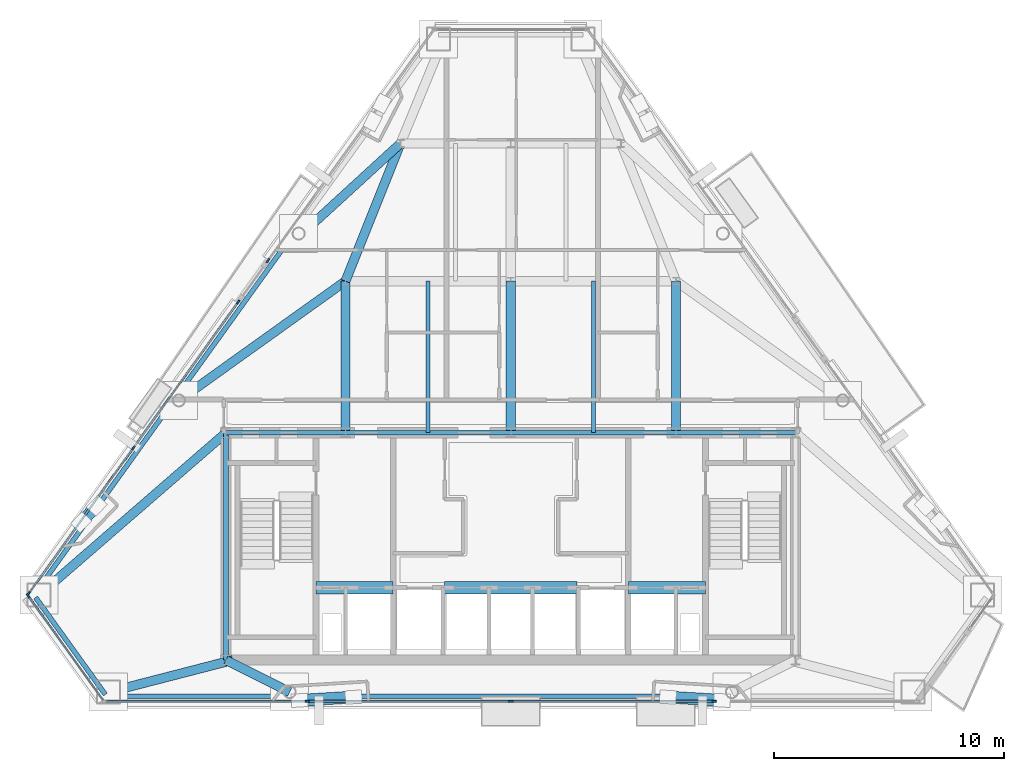
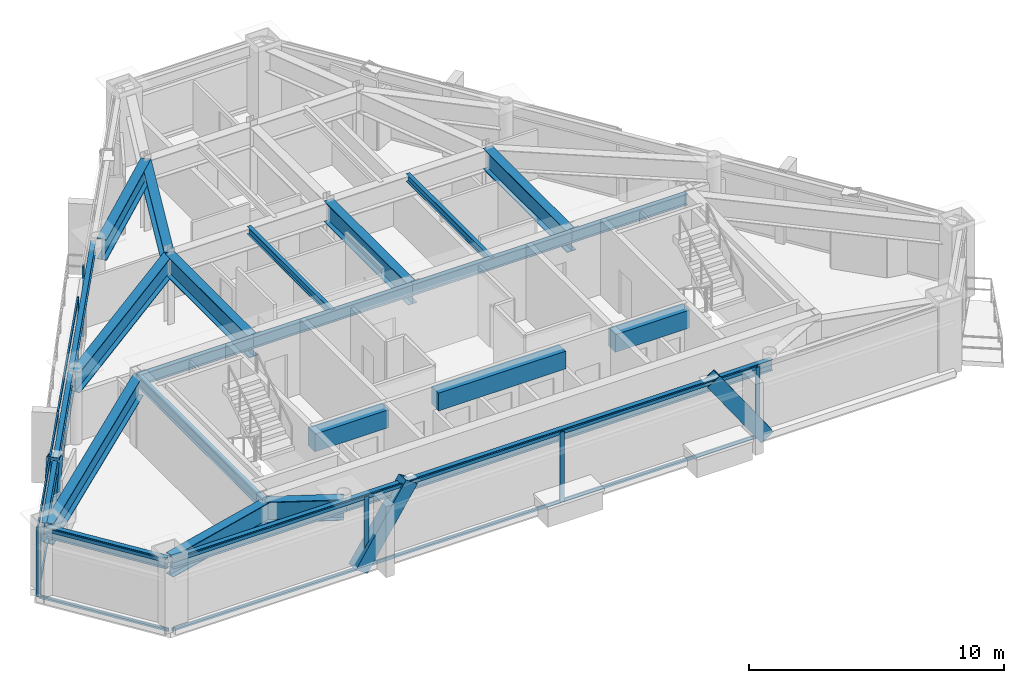
# One storey, part 3 of 11: 24 beams, 23 members, 4 elements without a shape of their own.
"""IFC4 building model written with IfcOpenShell, lengths in metres."""

from ifc_helpers import new_model, si_unit, direction, frame, origin, origin_2d, place, context, subcontext, project, spatial, rectangle, hollow_rectangle, i_section, extrude, material, layer, layer_set, material_profile, profile_set, type_object, element, aggregate, save


model = new_model("IFC4")

# Units and contexts
model_context = context("Model", 3, precision=1e-05, world=origin(), true_north=direction((0.0, 1.0)))
body_context = subcontext(model_context, "Body", "Model", "MODEL_VIEW")
ifc_project = project(units=[si_unit("LENGTHUNIT", "METRE"), si_unit("AREAUNIT", "SQUARE_METRE"), si_unit("VOLUMEUNIT", "CUBIC_METRE"), si_unit("PLANEANGLEUNIT", "RADIAN"), si_unit("MASSUNIT", "GRAM", prefix="KILO")], contexts=[model_context])

# Site, building, storey
site_placement = place(None, origin())
site = spatial("IfcSite", under=ifc_project, at=site_placement, CompositionType="ELEMENT")
building_placement = place(site_placement, origin())
building = spatial("IfcBuilding", under=site, at=building_placement, Name="Talgorran Terracotta Tower", CompositionType="ELEMENT")
storey_placement = place(building_placement, frame((0.0, 0.0, 214.5)))
storey = spatial("IfcBuildingStorey", under=building, at=storey_placement, Name="L56", CompositionType="ELEMENT", Elevation=214.5)

# Beams
ifc_material_1 = material(Name="Steel Grade 350 (350L0)", Category="steel")
ifc_material_profile_1 = material_profile(ifc_material_1, i_section(OverallWidth=0.39990234375, OverallDepth=1.0, WebThickness=0.01611328125, FlangeThickness=0.031005859375, at=origin_2d()), Name="1000WB296")
ifc_profile_set_1 = profile_set([ifc_material_profile_1], Name="Steel Grade 350 (350L0)")
beam_type_1 = type_object("IfcBeamType", Name="BM_1000WB296", PredefinedType="BEAM", material=ifc_profile_set_1)
beam_1_placement = place(storey_placement, frame((-9.630859375, -15.49658203125, 2.844970703125), z_axis=(-0.892878892076, 0.450296884383, 0.0), x_axis=(-0.450296884383, -0.892878892076, 0.0)))
element("IfcBeam", 1, at=beam_1_placement, inside=storey, type_object=beam_type_1, Name="L56 South-West Core Tie Beam", PredefinedType="BEAM", context=body_context, shape_type="SweptSolid", body=[
    extrude(i_section(OverallWidth=0.39990234375, OverallDepth=1.0, WebThickness=0.01611328125, FlangeThickness=0.031005859375, at=origin_2d()), origin(), (0.0, 0.0, 1.0), 3.101318359375),
])
beam_2_placement = place(storey_placement, frame((-17.5107421875, -15.49658203125, 2.844970703125), z_axis=(0.968269139211, 0.249909731806, 0.0), x_axis=(-0.249909731806, 0.968269139211, 0.0)))
element("IfcBeam", 2, at=beam_2_placement, inside=storey, type_object=beam_type_1, Name="L56 Perimeter Step Girder 2", PredefinedType="BEAM", context=body_context, shape_type="SweptSolid", body=[
    extrude(i_section(OverallWidth=0.39990234375, OverallDepth=1.0, WebThickness=0.01611328125, FlangeThickness=0.031005859375, at=origin_2d()), origin(), (0.0, 0.0, 1.0), 5.587890625),
])
for number, where, z_axis, x_axis, name in (
    (3, (-7.199951171875, -4.199951171875, 2.844970703125), (0.0, 1.0, 0.0), (-1.0, 0.0, 0.0), "L56 Floor Girder G01"),
    (4, (0.0, -4.199951171875, 2.844970703125), (0.0, 1.0, 0.0), (-1.0, 0.0, 0.0), "L56 Floor Girder G02"),
    (5, (7.199951171875, -4.199951171875, 2.844970703125), (0.0, 1.0, 0.0), (-1.0, 0.0, 0.0), "L56 Floor Girder G03"),
):
    element("IfcBeam", number, at=place(storey_placement, frame(where, z_axis=z_axis, x_axis=x_axis)), inside=storey, type_object=beam_type_1, Name=name, PredefinedType="BEAM", context=body_context, shape_type="SweptSolid", body=[
        extrude(i_section(OverallWidth=0.39990234375, OverallDepth=1.0, WebThickness=0.01611328125, FlangeThickness=0.031005859375, at=origin_2d()), origin(), (0.0, 0.0, 1.0), 6.599853515625),
    ])
beam_3_placement = place(storey_placement, frame((-7.199951171875, 2.39990234375, 2.844970703125), z_axis=(-0.813243309998, -0.581923808366, 0.0), x_axis=(0.581923808366, -0.813243309998, 0.0)))
element("IfcBeam", 6, at=beam_3_placement, inside=storey, type_object=beam_type_1, Name="L56 Floor Girder G06", PredefinedType="BEAM", context=body_context, shape_type="SweptSolid", body=[
    extrude(i_section(OverallWidth=0.39990234375, OverallDepth=1.0, WebThickness=0.01611328125, FlangeThickness=0.031005859375, at=origin_2d()), origin(), (0.0, 0.0, 1.0), 8.923583984375),
])
beam_4_placement = place(storey_placement, frame((-7.199951171875, 2.39990234375, 2.844970703125), z_axis=(0.371377648723, 0.928481901832, 0.0), x_axis=(-0.928481901832, 0.371377648723, 0.0)))
element("IfcBeam", 7, at=beam_4_placement, inside=storey, type_object=beam_type_1, Name="L56 Floor Girder G08", PredefinedType="BEAM", context=body_context, shape_type="SweptSolid", body=[
    extrude(i_section(OverallWidth=0.39990234375, OverallDepth=1.0, WebThickness=0.01611328125, FlangeThickness=0.031005859375, at=origin_2d()), origin(), (0.0, 0.0, 1.0), 6.462158203125),
])
beam_5_placement = place(storey_placement, frame((-4.800048828125, 8.39990234375, 2.844970703125), z_axis=(-0.737419827565, -0.675434673313, 0.0), x_axis=(0.675434673313, -0.737419827565, 0.0)))
element("IfcBeam", 8, at=beam_5_placement, inside=storey, type_object=beam_type_1, Name="L56 Floor Girder G13", PredefinedType="BEAM", context=body_context, shape_type="SweptSolid", body=[
    extrude(i_section(OverallWidth=0.39990234375, OverallDepth=1.0, WebThickness=0.01611328125, FlangeThickness=0.031005859375, at=origin_2d()), origin(), (0.0, 0.0, 1.0), 5.75830078125),
])
beam_6_placement = place(storey_placement, frame((-12.39990234375, -4.199951171875, 2.844970703125), z_axis=(-0.755340259283, -0.655332810644, 0.0), x_axis=(0.655332810644, -0.755340259283, 0.0)))
element("IfcBeam", 9, at=beam_6_placement, inside=storey, type_object=beam_type_1, Name="L56 Floor Girder G17", PredefinedType="BEAM", context=body_context, shape_type="SweptSolid", body=[
    extrude(i_section(OverallWidth=0.39990234375, OverallDepth=1.0, WebThickness=0.01611328125, FlangeThickness=0.031005859375, at=origin_2d()), origin(), (0.0, 0.0, 1.0), 10.787841796875),
])
ifc_material_2 = material(Name="Concrete C50/60", Category="concrete")
ifc_material_profile_2 = material_profile(ifc_material_2, rectangle(XDim=0.550048828125, YDim=0.85009765625, at=origin_2d()), Name="RCCB550X850")
ifc_profile_set_2 = profile_set([ifc_material_profile_2], Name="Concrete C50/60")
beam_type_2 = type_object("IfcBeamType", Name="BM_CB_550X850", PredefinedType="LINTEL", material=ifc_profile_set_2)
beam_7_placement = place(storey_placement, frame((-8.47998046875, -10.949951171875, 2.919921875), z_axis=(1.0, 0.0, 0.0), x_axis=(0.0, 1.0, 0.0)))
element("IfcBeam", 10, at=beam_7_placement, inside=storey, type_object=beam_type_2, Name="L56 Core Shear-Wall Coupling Beam CB1", PredefinedType="LINTEL", context=body_context, shape_type="SweptSolid", body=[
    extrude(rectangle(XDim=0.550048828125, YDim=0.85009765625, at=origin_2d()), origin(), (0.0, 0.0, 1.0), 3.35986328125),
])
beam_8_placement = place(storey_placement, frame((-2.8798828125, -10.949951171875, 2.919921875), z_axis=(1.0, 0.0, 0.0), x_axis=(0.0, 1.0, 0.0)))
element("IfcBeam", 11, at=beam_8_placement, inside=storey, type_object=beam_type_2, Name="L56 Core Shear-Wall Coupling Beam CB2", PredefinedType="LINTEL", context=body_context, shape_type="SweptSolid", body=[
    extrude(rectangle(XDim=0.550048828125, YDim=0.85009765625, at=origin_2d()), origin(), (0.0, 0.0, 1.0), 5.759765625),
])
beam_9_placement = place(storey_placement, frame((5.1201171875, -10.949951171875, 2.919921875), z_axis=(1.0, 0.0, 0.0), x_axis=(0.0, 1.0, 0.0)))
element("IfcBeam", 12, at=beam_9_placement, inside=storey, type_object=beam_type_2, Name="L56 Core Shear-Wall Coupling Beam CB3", PredefinedType="LINTEL", context=body_context, shape_type="SweptSolid", body=[
    extrude(rectangle(XDim=0.550048828125, YDim=0.85009765625, at=origin_2d()), origin(), (0.0, 0.0, 1.0), 3.35986328125),
])
ifc_material_3 = material(Name="Steel S355 (300PLUS)", Category="steel")
ifc_material_profile_3 = material_profile(ifc_material_3, i_section(OverallWidth=0.17138671875, OverallDepth=0.355712890625, WebThickness=0.00732421875, FlangeThickness=0.011474609375, at=origin_2d()), Name="360UB50.7")
ifc_profile_set_3 = profile_set([ifc_material_profile_3], Name="Steel S355 (300PLUS)")
beam_type_3 = type_object("IfcBeamType", Name="BM_JS_360UB51", PredefinedType="JOIST", material=ifc_profile_set_3)
for number, where, z_axis, x_axis, name in (
    (13, (-3.60009765625, -4.199951171875, 3.167236328125), (0.0, 1.0, 0.0), (-1.0, 0.0, 0.0), "L56 Secondary Joist J01"),
    (14, (3.60009765625, -4.199951171875, 3.167236328125), (0.0, 1.0, 0.0), (-1.0, 0.0, 0.0), "L56 Secondary Joist J02"),
):
    element("IfcBeam", number, at=place(storey_placement, frame(where, z_axis=z_axis, x_axis=x_axis)), inside=storey, type_object=beam_type_3, Name=name, PredefinedType="JOIST", context=body_context, shape_type="SweptSolid", body=[
        extrude(i_section(OverallWidth=0.17138671875, OverallDepth=0.355712890625, WebThickness=0.00732421875, FlangeThickness=0.011474609375, at=origin_2d()), origin(), (0.0, 0.0, 1.0), 6.599853515625),
    ])
ifc_material_profile_4 = material_profile(ifc_material_3, i_section(OverallWidth=0.209228515625, OverallDepth=0.532958984375, WebThickness=0.01025390625, FlangeThickness=0.015625, at=origin_2d()), Name="530UB92.4")
ifc_profile_set_4 = profile_set([ifc_material_profile_4], Name="Steel S355 (300PLUS)")
beam_type_4 = type_object("IfcBeamType", Name="BM_SP_530UB92", PredefinedType="SPANDREL", material=ifc_profile_set_4)
beam_10_placement = place(storey_placement, frame((-20.694580078125, -11.37451171875, 3.07861328125), z_axis=(0.58353843734, -0.812085520217, 0.0), x_axis=(0.812085520217, 0.58353843734, 0.0)))
element("IfcBeam", 15, at=beam_10_placement, inside=storey, type_object=beam_type_4, Name="L56 Perimeter Spandrel Beam MC1-MC2", PredefinedType="SPANDREL", context=body_context, shape_type="SweptSolid", body=[
    extrude(i_section(OverallWidth=0.209228515625, OverallDepth=0.532958984375, WebThickness=0.01025390625, FlangeThickness=0.015625, at=origin_2d()), origin(), (0.0, 0.0, 1.0), 5.20556640625),
])
beam_11_placement = place(storey_placement, frame((-17.5107421875, -15.6767578125, 3.07861328125), z_axis=(1.0, 0.0, 0.0), x_axis=(0.0, 1.0, 0.0)))
element("IfcBeam", 16, at=beam_11_placement, inside=storey, type_object=beam_type_4, Name="L56 Perimeter Spandrel Beam MC2-FC1", PredefinedType="SPANDREL", context=body_context, shape_type="SweptSolid", body=[
    extrude(i_section(OverallWidth=0.209228515625, OverallDepth=0.532958984375, WebThickness=0.01025390625, FlangeThickness=0.015625, at=origin_2d()), origin(), (0.0, 0.0, 1.0), 7.8798828125),
])
beam_12_placement = place(storey_placement, frame((-9.630859375, -15.6767578125, 3.07861328125), z_axis=(1.0, 0.0, 0.0), x_axis=(0.0, 1.0, 0.0)))
element("IfcBeam", 17, at=beam_12_placement, inside=storey, type_object=beam_type_4, Name="L56 Perimeter Spandrel Beam FC1-FC2", PredefinedType="SPANDREL", context=body_context, shape_type="SweptSolid", body=[
    extrude(i_section(OverallWidth=0.209228515625, OverallDepth=0.532958984375, WebThickness=0.01025390625, FlangeThickness=0.015625, at=origin_2d()), origin(), (0.0, 0.0, 1.0), 19.26171875),
])
beam_13_placement = place(storey_placement, frame((-9.382080078125, 4.577880859375, 3.07861328125), z_axis=(-0.583551145521, -0.812076388378, 0.0), x_axis=(0.812076388378, -0.583551145521, 0.0)))
element("IfcBeam", 18, at=beam_13_placement, inside=storey, type_object=beam_type_4, Name="L56 Perimeter Spandrel Beam FC5-FC6", PredefinedType="SPANDREL", context=body_context, shape_type="SweptSolid", body=[
    extrude(i_section(OverallWidth=0.209228515625, OverallDepth=0.532958984375, WebThickness=0.01025390625, FlangeThickness=0.015625, at=origin_2d()), origin(), (0.0, 0.0, 1.0), 8.947265625),
])
beam_14_placement = place(storey_placement, frame((-14.603271484375, -2.68798828125, 3.07861328125), z_axis=(-0.58355893517, -0.812070790746, 0.0), x_axis=(0.812070790746, -0.58355893517, 0.0)))
element("IfcBeam", 19, at=beam_14_placement, inside=storey, type_object=beam_type_4, Name="L56 Perimeter Spandrel Beam FC6-MC1", PredefinedType="SPANDREL", context=body_context, shape_type="SweptSolid", body=[
    extrude(i_section(OverallWidth=0.209228515625, OverallDepth=0.532958984375, WebThickness=0.01025390625, FlangeThickness=0.015625, at=origin_2d()), origin(), (0.0, 0.0, 1.0), 10.438232421875),
])
beam_15_placement = place(storey_placement, frame((-12.39990234375, -14.10009765625, 3.07861328125), z_axis=(0.0, 1.0, 0.0), x_axis=(-1.0, 0.0, 0.0)))
element("IfcBeam", 20, at=beam_15_placement, inside=storey, type_object=beam_type_4, Name="L56 Core Frame Beam CFW", PredefinedType="SPANDREL", context=body_context, shape_type="SweptSolid", body=[
    extrude(i_section(OverallWidth=0.209228515625, OverallDepth=0.532958984375, WebThickness=0.01025390625, FlangeThickness=0.015625, at=origin_2d()), origin(), (0.0, 0.0, 1.0), 9.900146484375),
])
beam_16_placement = place(storey_placement, frame((-12.39990234375, -4.199951171875, 3.07861328125), z_axis=(1.0, 0.0, 0.0), x_axis=(0.0, 1.0, 0.0)))
element("IfcBeam", 21, at=beam_16_placement, inside=storey, type_object=beam_type_4, Name="L56 Core Frame Beam CFN1", PredefinedType="SPANDREL", context=body_context, shape_type="SweptSolid", body=[
    extrude(i_section(OverallWidth=0.209228515625, OverallDepth=0.532958984375, WebThickness=0.01025390625, FlangeThickness=0.015625, at=origin_2d()), origin(), (0.0, 0.0, 1.0), 5.199951171875),
])
for number, where, z_axis, x_axis, name in (
    (22, (-7.199951171875, -4.199951171875, 3.07861328125), (1.0, 0.0, 0.0), (0.0, 1.0, 0.0), "L56 Core Frame Beam CFN2"),
    (23, (0.0, -4.199951171875, 3.07861328125), (1.0, 0.0, 0.0), (0.0, 1.0, 0.0), "L56 Core Frame Beam CFN3"),
):
    element("IfcBeam", number, at=place(storey_placement, frame(where, z_axis=z_axis, x_axis=x_axis)), inside=storey, type_object=beam_type_4, Name=name, PredefinedType="SPANDREL", context=body_context, shape_type="SweptSolid", body=[
        extrude(i_section(OverallWidth=0.209228515625, OverallDepth=0.532958984375, WebThickness=0.01025390625, FlangeThickness=0.015625, at=origin_2d()), origin(), (0.0, 0.0, 1.0), 7.199951171875),
    ])
beam_17_placement = place(storey_placement, frame((7.199951171875, -4.199951171875, 3.07861328125), z_axis=(1.0, 0.0, 0.0), x_axis=(0.0, 1.0, 0.0)))
element("IfcBeam", 24, at=beam_17_placement, inside=storey, type_object=beam_type_4, Name="L56 Core Frame Beam CFN4", PredefinedType="SPANDREL", context=body_context, shape_type="SweptSolid", body=[
    extrude(i_section(OverallWidth=0.209228515625, OverallDepth=0.532958984375, WebThickness=0.01025390625, FlangeThickness=0.015625, at=origin_2d()), origin(), (0.0, 0.0, 1.0), 5.199951171875),
])

# Members
ifc_material_profile_5 = material_profile(ifc_material_1, hollow_rectangle(XDim=0.52001953125, YDim=0.659912109375, WallThickness=0.034912109375, at=origin_2d()), Name="WBOX660X520X35")
ifc_profile_set_5 = profile_set([ifc_material_profile_5], Name="Steel Grade 350 (350L0)")
member_type_1 = type_object("IfcMemberType", Name="MB_MEGA_660", PredefinedType="BRACE", material=ifc_profile_set_5)
for number, where, z_axis, x_axis, name in (
    (25, (-9.20166015625, -15.856689453125, -0.02490234375), (0.569770602132, 0.034953802742, 0.821060102928), (-0.061232035913, 0.998123558372, 0.0), "L56 Exterior Face Mega-Brace MB-3 (SWF)"),
    (26, (9.20166015625, -15.856689453125, -0.02490234375), (-0.569770602132, 0.034953802742, 0.821060102928), (-0.061232035913, -0.998123558372, 0.0), "L56 Exterior Face Mega-Brace MB-3 (SEF)"),
):
    element("IfcMember", number, at=place(storey_placement, frame(where, z_axis=z_axis, x_axis=x_axis)), inside=storey, type_object=member_type_1, Name=name, PredefinedType="BRACE", context=body_context, shape_type="SweptSolid", body=[
        extrude(hollow_rectangle(XDim=0.52001953125, YDim=0.659912109375, WallThickness=0.034912109375, at=origin_2d()), origin(), (0.0, 0.0, 1.0), 4.135009765625),
    ])
member_1_placement = place(storey_placement, frame((-18.713134765625, -8.098876953125, -0.02490234375), z_axis=(0.194541951717, 0.202961291238, 0.959666683428), x_axis=(-0.721921781, 0.691974668697, 0.0)))
element("IfcMember", 27, at=member_1_placement, inside=storey, type_object=member_type_1, Name="L56 Exterior Face Mega-Brace MB-3 (NWL)", PredefinedType="BRACE", context=body_context, shape_type="SweptSolid", body=[
    extrude(hollow_rectangle(XDim=0.52001953125, YDim=0.659912109375, WallThickness=0.034912109375, at=origin_2d()), origin(), (0.0, 0.0, 1.0), 3.53759765625),
])

# Curtain wall, member
ifc_material_4 = material(Name="High-Wind Unitised Glazing", Category="glass")
ifc_layer = layer(ifc_material_4, 0.2099609375, Name="CW_SYS3_RES_HIGH")
ifc_layer_set = layer_set([ifc_layer], Name="High-Wind Unitised Glazing")
curtain_wall_type = type_object("IfcCurtainWallType", Name="CW_SYS3_RES_HIGH", PredefinedType="NOTDEFINED", material=ifc_layer_set)
curtain_wall_1_placement = place(storey_placement, origin())
curtain_wall_1 = element("IfcCurtainWall", 28, at=curtain_wall_1_placement, inside=storey, type_object=curtain_wall_type, Name="CW-L56-F0", PredefinedType="NOTDEFINED")
ifc_material_5 = material(Name="Architectural Aluminium 6063-T6", Category="aluminium")
ifc_material_profile_6 = material_profile(ifc_material_5, rectangle(XDim=0.070068359375, YDim=0.199951171875, at=origin_2d()), Name="CWM70X200")
ifc_profile_set_6 = profile_set([ifc_material_profile_6], Name="Architectural Aluminium 6063-T6")
member_type_2 = type_object("IfcMemberType", Name="MUL_70X200", PredefinedType="MULLION", material=ifc_profile_set_6)
member_2_placement = place(storey_placement, frame((-21.0205078125, -11.298095703125, 0.0), z_axis=(0.0, 0.0, 1.0), x_axis=(0.812075928954, 0.58355178486, 0.0)))
member_2 = element("IfcMember", 29, at=member_2_placement, type_object=member_type_2, Name="CW-L56-0 mullion 1", PredefinedType="MULLION", context=body_context, shape_type="SweptSolid", body=[
    extrude(rectangle(XDim=0.070068359375, YDim=0.199951171875, at=origin_2d()), origin(), (0.0, 0.0, 1.0), 3.344970703125),
])

# Curtain wall, members
curtain_wall_2_placement = place(storey_placement, origin())
curtain_wall_2 = element("IfcCurtainWall", 30, at=curtain_wall_2_placement, inside=storey, type_object=curtain_wall_type, Name="CW-L56-F1", PredefinedType="NOTDEFINED")
member_3_placement = place(storey_placement, frame((-8.85791015625, -15.896728515625, 0.0), z_axis=(0.0, 0.0, 1.0), x_axis=(0.0, 1.0, 0.0)))
member_3 = element("IfcMember", 31, at=member_3_placement, type_object=member_type_2, Name="CW-L56-1 mullion 2", PredefinedType="MULLION", context=body_context, shape_type="SweptSolid", body=[
    extrude(rectangle(XDim=0.070068359375, YDim=0.199951171875, at=origin_2d()), origin(), (0.0, 0.0, 1.0), 3.344970703125),
])
member_4_placement = place(storey_placement, frame((0.0, -15.896728515625, 0.0), z_axis=(0.0, 0.0, 1.0), x_axis=(0.0, 1.0, 0.0)))
member_4 = element("IfcMember", 32, at=member_4_placement, type_object=member_type_2, Name="CW-L56-1 mullion 3", PredefinedType="MULLION", context=body_context, shape_type="SweptSolid", body=[
    extrude(rectangle(XDim=0.070068359375, YDim=0.199951171875, at=origin_2d()), origin(), (0.0, 0.0, 1.0), 3.344970703125),
])
member_5_placement = place(storey_placement, frame((8.85791015625, -15.896728515625, 0.0), z_axis=(0.0, 0.0, 1.0), x_axis=(0.0, 1.0, 0.0)))
member_5 = element("IfcMember", 33, at=member_5_placement, type_object=member_type_2, Name="CW-L56-1 mullion 4", PredefinedType="MULLION", context=body_context, shape_type="SweptSolid", body=[
    extrude(rectangle(XDim=0.070068359375, YDim=0.199951171875, at=origin_2d()), origin(), (0.0, 0.0, 1.0), 3.344970703125),
])

# Curtain wall, member
curtain_wall_3_placement = place(storey_placement, origin())
curtain_wall_3 = element("IfcCurtainWall", 34, at=curtain_wall_3_placement, inside=storey, type_object=curtain_wall_type, Name="CW-L56-F60", PredefinedType="NOTDEFINED")
member_6_placement = place(storey_placement, frame((-10.57470703125, 3.29541015625, 0.0), z_axis=(0.0, 0.0, 1.0), x_axis=(0.812072089911, -0.583557127269, 0.0)))
member_6 = element("IfcMember", 35, at=member_6_placement, type_object=member_type_2, Name="CW-L56-60 mullion 2", PredefinedType="MULLION", context=body_context, shape_type="SweptSolid", body=[
    extrude(rectangle(XDim=0.070068359375, YDim=0.199951171875, at=origin_2d()), origin(), (0.0, 0.0, 1.0), 3.344970703125),
])
aggregate(curtain_wall_3, [member_6])

# Curtain wall, members
curtain_wall_4_placement = place(storey_placement, origin())
curtain_wall_4 = element("IfcCurtainWall", 36, at=curtain_wall_4_placement, inside=storey, type_object=curtain_wall_type, Name="CW-L56-F61", PredefinedType="NOTDEFINED")
member_7_placement = place(storey_placement, frame((-11.8759765625, 1.484375, 0.0), z_axis=(0.0, 0.0, 1.0), x_axis=(0.812075454714, -0.583552444816, 0.0)))
member_7 = element("IfcMember", 37, at=member_7_placement, type_object=member_type_2, Name="CW-L56-61 mullion 1", PredefinedType="MULLION", context=body_context, shape_type="SweptSolid", body=[
    extrude(rectangle(XDim=0.070068359375, YDim=0.199951171875, at=origin_2d()), origin(), (0.0, 0.0, 1.0), 3.344970703125),
])
member_8_placement = place(storey_placement, frame((-16.4365234375, -4.862060546875, 0.0), z_axis=(0.0, 0.0, 1.0), x_axis=(0.812075454714, -0.583552444816, 0.0)))
member_8 = element("IfcMember", 38, at=member_8_placement, type_object=member_type_2, Name="CW-L56-61 mullion 2", PredefinedType="MULLION", context=body_context, shape_type="SweptSolid", body=[
    extrude(rectangle(XDim=0.070068359375, YDim=0.199951171875, at=origin_2d()), origin(), (0.0, 0.0, 1.0), 3.344970703125),
])
member_9_placement = place(storey_placement, frame((-20.9970703125, -11.208740234375, 0.0), z_axis=(0.0, 0.0, 1.0), x_axis=(0.812075454714, -0.583552444816, 0.0)))
member_9 = element("IfcMember", 39, at=member_9_placement, type_object=member_type_2, Name="CW-L56-61 mullion 3", PredefinedType="MULLION", context=body_context, shape_type="SweptSolid", body=[
    extrude(rectangle(XDim=0.070068359375, YDim=0.199951171875, at=origin_2d()), origin(), (0.0, 0.0, 1.0), 3.344970703125),
])

# Member
ifc_material_profile_7 = material_profile(ifc_material_5, rectangle(XDim=0.070068359375, YDim=0.159912109375, at=origin_2d()), Name="CWT70X160")
ifc_profile_set_7 = profile_set([ifc_material_profile_7], Name="Architectural Aluminium 6063-T6")
member_type_3 = type_object("IfcMemberType", Name="TRN_70X160", PredefinedType="USERDEFINED", material=ifc_profile_set_7)
member_10_placement = place(storey_placement, frame((-21.0, -11.326416015625, 0.034912109375), z_axis=(0.583533762729, -0.812088879221, 0.0), x_axis=(0.812088879221, 0.583533762729, 0.0)))
member_10 = element("IfcMember", 40, at=member_10_placement, type_object=member_type_3, Name="CW-L56-0 transom 1.1", ObjectType="TRANSOM", PredefinedType="USERDEFINED", context=body_context, shape_type="SweptSolid", body=[
    extrude(rectangle(XDim=0.070068359375, YDim=0.159912109375, at=origin_2d()), origin(), (0.0, 0.0, 1.0), 5.557861328125),
])

member_11_placement = place(storey_placement, frame((-21.0, -11.326416015625, 3.31005859375), z_axis=(0.583533762729, -0.812088879221, 0.0), x_axis=(0.812088879221, 0.583533762729, 0.0)))
member_11 = element("IfcMember", 41, at=member_11_placement, type_object=member_type_3, Name="CW-L56-0 transom 1.2", ObjectType="TRANSOM", PredefinedType="USERDEFINED", context=body_context, shape_type="SweptSolid", body=[
    extrude(rectangle(XDim=0.070068359375, YDim=0.159912109375, at=origin_2d()), origin(), (0.0, 0.0, 1.0), 5.557861328125),
])

aggregate(curtain_wall_1, [member_2, member_10, member_11])

member_12_placement = place(storey_placement, frame((-17.64599609375, -15.896728515625, 0.034912109375), z_axis=(1.0, 0.0, 0.0), x_axis=(0.0, 1.0, 0.0)))
member_12 = element("IfcMember", 42, at=member_12_placement, type_object=member_type_3, Name="CW-L56-1 transom 1.1", ObjectType="TRANSOM", PredefinedType="USERDEFINED", context=body_context, shape_type="SweptSolid", body=[
    extrude(rectangle(XDim=0.070068359375, YDim=0.159912109375, at=origin_2d()), origin(), (0.0, 0.0, 1.0), 8.7529296875),
])

member_13_placement = place(storey_placement, frame((-17.64599609375, -15.896728515625, 3.31005859375), z_axis=(1.0, 0.0, 0.0), x_axis=(0.0, 1.0, 0.0)))
member_13 = element("IfcMember", 43, at=member_13_placement, type_object=member_type_3, Name="CW-L56-1 transom 1.2", ObjectType="TRANSOM", PredefinedType="USERDEFINED", context=body_context, shape_type="SweptSolid", body=[
    extrude(rectangle(XDim=0.070068359375, YDim=0.159912109375, at=origin_2d()), origin(), (0.0, 0.0, 1.0), 8.7529296875),
])

member_14_placement = place(storey_placement, frame((-8.822998046875, -15.896728515625, 0.034912109375), z_axis=(1.0, 0.0, 0.0), x_axis=(0.0, 1.0, 0.0)))
member_14 = element("IfcMember", 44, at=member_14_placement, type_object=member_type_3, Name="CW-L56-1 transom 2.1", ObjectType="TRANSOM", PredefinedType="USERDEFINED", context=body_context, shape_type="SweptSolid", body=[
    extrude(rectangle(XDim=0.070068359375, YDim=0.159912109375, at=origin_2d()), origin(), (0.0, 0.0, 1.0), 8.7880859375),
])

member_15_placement = place(storey_placement, frame((-8.822998046875, -15.896728515625, 3.31005859375), z_axis=(1.0, 0.0, 0.0), x_axis=(0.0, 1.0, 0.0)))
member_15 = element("IfcMember", 45, at=member_15_placement, type_object=member_type_3, Name="CW-L56-1 transom 2.2", ObjectType="TRANSOM", PredefinedType="USERDEFINED", context=body_context, shape_type="SweptSolid", body=[
    extrude(rectangle(XDim=0.070068359375, YDim=0.159912109375, at=origin_2d()), origin(), (0.0, 0.0, 1.0), 8.7880859375),
])

member_16_placement = place(storey_placement, frame((0.034912109375, -15.896728515625, 0.034912109375), z_axis=(1.0, 0.0, 0.0), x_axis=(0.0, 1.0, 0.0)))
member_16 = element("IfcMember", 46, at=member_16_placement, type_object=member_type_3, Name="CW-L56-1 transom 3.1", ObjectType="TRANSOM", PredefinedType="USERDEFINED", context=body_context, shape_type="SweptSolid", body=[
    extrude(rectangle(XDim=0.070068359375, YDim=0.159912109375, at=origin_2d()), origin(), (0.0, 0.0, 1.0), 8.7880859375),
])

member_17_placement = place(storey_placement, frame((0.034912109375, -15.896728515625, 3.31005859375), z_axis=(1.0, 0.0, 0.0), x_axis=(0.0, 1.0, 0.0)))
member_17 = element("IfcMember", 47, at=member_17_placement, type_object=member_type_3, Name="CW-L56-1 transom 3.2", ObjectType="TRANSOM", PredefinedType="USERDEFINED", context=body_context, shape_type="SweptSolid", body=[
    extrude(rectangle(XDim=0.070068359375, YDim=0.159912109375, at=origin_2d()), origin(), (0.0, 0.0, 1.0), 8.7880859375),
])

aggregate(curtain_wall_2, [member_3, member_4, member_5, member_12, member_13, member_14, member_15, member_16, member_17])

member_18_placement = place(storey_placement, frame((-11.896484375, 1.4560546875, 0.034912109375), z_axis=(-0.583549661273, -0.812077454944, 0.0), x_axis=(0.812077454944, -0.583549661273, 0.0)))
member_18 = element("IfcMember", 48, at=member_18_placement, type_object=member_type_3, Name="CW-L56-61 transom 1.1", ObjectType="TRANSOM", PredefinedType="USERDEFINED", context=body_context, shape_type="SweptSolid", body=[
    extrude(rectangle(XDim=0.070068359375, YDim=0.159912109375, at=origin_2d()), origin(), (0.0, 0.0, 1.0), 7.745361328125),
])

member_19_placement = place(storey_placement, frame((-11.896484375, 1.4560546875, 3.31005859375), z_axis=(-0.583549661273, -0.812077454944, 0.0), x_axis=(0.812077454944, -0.583549661273, 0.0)))
member_19 = element("IfcMember", 49, at=member_19_placement, type_object=member_type_3, Name="CW-L56-61 transom 1.2", ObjectType="TRANSOM", PredefinedType="USERDEFINED", context=body_context, shape_type="SweptSolid", body=[
    extrude(rectangle(XDim=0.070068359375, YDim=0.159912109375, at=origin_2d()), origin(), (0.0, 0.0, 1.0), 7.745361328125),
])

member_20_placement = place(storey_placement, frame((-16.45703125, -4.890625, 0.034912109375), z_axis=(-0.583564599001, -0.812066720654, 0.0), x_axis=(0.812066720654, -0.583564599001, 0.0)))
member_20 = element("IfcMember", 50, at=member_20_placement, type_object=member_type_3, Name="CW-L56-61 transom 2.1", ObjectType="TRANSOM", PredefinedType="USERDEFINED", context=body_context, shape_type="SweptSolid", body=[
    extrude(rectangle(XDim=0.070068359375, YDim=0.159912109375, at=origin_2d()), origin(), (0.0, 0.0, 1.0), 7.7451171875),
])

member_21_placement = place(storey_placement, frame((-16.45703125, -4.890625, 3.31005859375), z_axis=(-0.583564599001, -0.812066720654, 0.0), x_axis=(0.812066720654, -0.583564599001, 0.0)))
member_21 = element("IfcMember", 51, at=member_21_placement, type_object=member_type_3, Name="CW-L56-61 transom 2.2", ObjectType="TRANSOM", PredefinedType="USERDEFINED", context=body_context, shape_type="SweptSolid", body=[
    extrude(rectangle(XDim=0.070068359375, YDim=0.159912109375, at=origin_2d()), origin(), (0.0, 0.0, 1.0), 7.7451171875),
])

aggregate(curtain_wall_4, [member_7, member_8, member_9, member_18, member_19, member_20, member_21])

save(model, "model.ifc")
